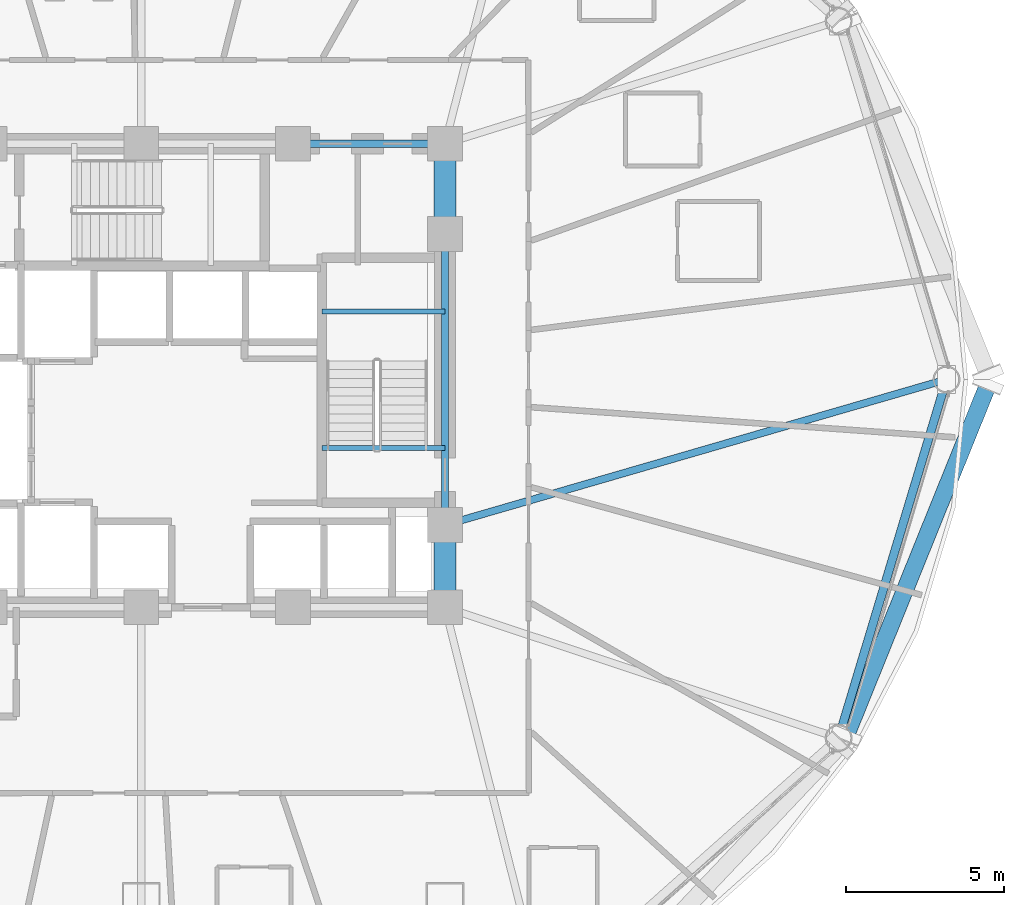
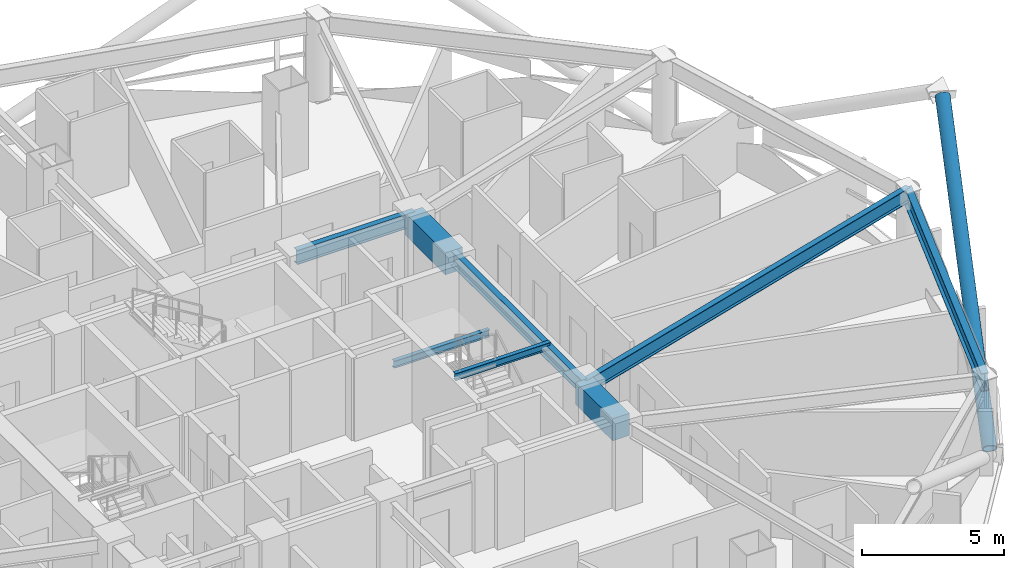
# One storey, part 11 of 31: 8 beams, 1 member.
"""IFC4 building model written with IfcOpenShell, lengths in metres."""

import ifcopenshell
import ifcopenshell.guid

model = None  # the IFC model being written
_history = None  # IfcOwnerHistory: only IFC2X3 demands one
_inside = {}  # id of a spatial element -> (the spatial element, [elements in it])
_under = {}  # id of a project, library or spatial element -> (it, [spatial elements below it])
_declared = {}  # id of a project -> (the project, [libraries it declares])
_typed = {}  # id of a type object -> (the type object, [elements of that type])
_made_of = {}  # id of a material, layer set ... -> (it, [elements and type objects made of it])


def new_model(schema):
    """Start an empty IFC model of exactly this schema.

    Asked for "IFC4X3", IfcOpenShell would pick the latest addendum, in which some entities
    have other attributes; the version numbers below select the first issue.
    IFC2X3 requires an IfcOwnerHistory on every rooted entity: one is made here for all.
    """
    global model, _history
    if schema == "IFC4X3":
        model = ifcopenshell.file(schema_version=(4, 3, 0, 0))
    else:
        model = ifcopenshell.file(schema=schema)
    _inside.clear()
    _under.clear()
    _declared.clear()
    _typed.clear()
    _made_of.clear()
    _history = None
    if model.schema == "IFC2X3":
        org = make("IfcOrganization", Name="unknown")
        user = make(
            "IfcPersonAndOrganization",
            ThePerson=make("IfcPerson", FamilyName="unknown"),
            TheOrganization=org,
        )
        app = make(
            "IfcApplication",
            ApplicationDeveloper=org,
            Version="unknown",
            ApplicationFullName="unknown",
            ApplicationIdentifier="unknown",
        )
        _history = make(
            "IfcOwnerHistory",
            OwningUser=user,
            OwningApplication=app,
            ChangeAction="ADDED",
            CreationDate=0,
        )
    return model


def make(cls, **values):
    """One entity of the class cls with the attributes given. An attribute that is None is left unset."""
    return model.create_entity(
        cls, **{name: value for name, value in values.items() if value is not None}
    )


def rooted(cls, **values):
    """An entity with a GlobalId (a new one), such as an element, a storey or a relation."""
    return make(cls, GlobalId=ifcopenshell.guid.new(), OwnerHistory=_history, **values)


def si_unit(unit_type, name, prefix=None):
    """IfcSIUnit, for example si_unit("LENGTHUNIT", "METRE", prefix="MILLI")."""
    return make("IfcSIUnit", UnitType=unit_type, Prefix=prefix, Name=name)


def assignment(units):
    """IfcUnitAssignment: the units of a project."""
    return None if units is None else make("IfcUnitAssignment", Units=units)


def point(xyz):
    """IfcCartesianPoint."""
    return None if xyz is None else make("IfcCartesianPoint", Coordinates=xyz)


def direction(xyz):
    """IfcDirection."""
    return None if xyz is None else make("IfcDirection", DirectionRatios=xyz)


def frame(location, z_axis=None, x_axis=None):
    """IfcAxis2Placement3D, a coordinate frame: its origin and axes. An axis left out is left unset."""
    return make(
        "IfcAxis2Placement3D",
        Location=point(location),
        Axis=direction(z_axis),
        RefDirection=direction(x_axis),
    )


def frame_2d(location, x_axis=None):
    """IfcAxis2Placement2D, a coordinate frame in the plane: its origin and x axis."""
    return make(
        "IfcAxis2Placement2D", Location=point(location), RefDirection=direction(x_axis)
    )


def origin():
    """The frame at (0, 0, 0) with its axes left unset."""
    return frame((0.0, 0.0, 0.0))


def origin_2d():
    """The frame at (0, 0) in the plane with its x axis left unset."""
    return frame_2d((0.0, 0.0))


def place(relative_to, where):
    """IfcLocalPlacement: puts the frame where relative to a parent placement (None: the world)."""
    return make(
        "IfcLocalPlacement", PlacementRelTo=relative_to, RelativePlacement=where
    )


def context(
    kind, dimensions, precision=None, world=None, true_north=None, identifier=None
):
    """IfcGeometricRepresentationContext, for example the 3D "Model" context."""
    return make(
        "IfcGeometricRepresentationContext",
        ContextIdentifier=identifier,
        ContextType=kind,
        CoordinateSpaceDimension=dimensions,
        Precision=precision,
        WorldCoordinateSystem=world,
        TrueNorth=true_north,
    )


def subcontext(parent, identifier, kind, view, scale=None):
    """IfcGeometricRepresentationSubContext, for example "Body" below "Model"."""
    return make(
        "IfcGeometricRepresentationSubContext",
        ContextIdentifier=identifier,
        ContextType=kind,
        ParentContext=parent,
        TargetScale=scale,
        TargetView=view,
    )


def project(units=None, contexts=None):
    """IfcProject with its units and contexts."""
    return rooted(
        "IfcProject",
        Name="project",
        RepresentationContexts=contexts,
        UnitsInContext=assignment(units),
    )


def spatial(cls, under=None, at=None, **own):
    """A site, building, storey or space (cls), placed at a placement, below another one or the project."""
    s = rooted(cls, ObjectPlacement=at, **own)
    if under is not None:
        _under.setdefault(under.id(), (under, []))[1].append(s)
    return s


def profile(cls, at=None, kind="AREA", **sizes):
    """A parametric profile (cls). Its sizes go by their IFC names, for example OverallWidth=200.0."""
    return make(cls, ProfileType=kind, Position=at, **sizes)


def rectangle(**sizes):
    """IfcRectangleProfileDef."""
    return profile("IfcRectangleProfileDef", **sizes)


def hollow_circle(**sizes):
    """IfcCircleHollowProfileDef."""
    return profile("IfcCircleHollowProfileDef", **sizes)


def i_section(**sizes):
    """IfcIShapeProfileDef."""
    return profile("IfcIShapeProfileDef", **sizes)


def extrude(swept, where, along, depth):
    """IfcExtrudedAreaSolid: the profile swept, set in the frame where, extruded along a direction by depth."""
    return make(
        "IfcExtrudedAreaSolid",
        SweptArea=swept,
        Position=where,
        ExtrudedDirection=direction(along),
        Depth=depth,
    )


def shape(context_of_items, identifier, shape_type, items):
    """IfcShapeRepresentation: the items that make up one representation, for example the "Body"."""
    return make(
        "IfcShapeRepresentation",
        ContextOfItems=context_of_items,
        RepresentationIdentifier=identifier,
        RepresentationType=shape_type,
        Items=items,
    )


def material(Name=None, Category=None):
    """IfcMaterial."""
    return make("IfcMaterial", Name=Name, Category=Category)


def material_profile(
    of_material, cross_section, Name=None, Category=None, Priority=None
):
    """IfcMaterialProfile: a cross section and its material."""
    return make(
        "IfcMaterialProfile",
        Name=Name,
        Material=of_material,
        Profile=cross_section,
        Priority=Priority,
        Category=Category,
    )


def profile_set(profiles, Name=None, composite=None):
    """IfcMaterialProfileSet."""
    return make(
        "IfcMaterialProfileSet",
        Name=Name,
        MaterialProfiles=profiles,
        CompositeProfile=composite,
    )


def made_of(thing, what):
    """Note that an element or type object is made of a material, layer set ...; save() writes the relation."""
    if what is not None:
        _made_of.setdefault(what.id(), (what, []))[1].append(thing)
    return thing


def type_object(cls, material=None, **own):
    """A type object (cls), such as IfcWallType, which elements share."""
    return made_of(rooted(cls, **own), material)


def element(
    cls,
    number,
    at=None,
    inside=None,
    cuts=None,
    type_object=None,
    material=None,
    context=None,
    identifier="Body",
    shape_type=None,
    held_by="IfcProductDefinitionShape",
    body=None,
    shapes=None,
    **own,
):
    """One element of the class cls, such as IfcWall. Its Tag is "e" and its number.

    at: its placement. inside: the storey or other place that contains it. cuts: it is an
    opening in that element (IfcRelVoidsElement). A single representation is given by context,
    identifier, shape_type and body (its items); several are given by shapes. held_by: the class
    of the entity that holds the representations. save() writes the other relations.
    """
    e = rooted(cls, Tag="e%d" % number, ObjectPlacement=at, **own)
    if body is not None:
        shapes = [shape(context, identifier, shape_type, body)]
    if shapes is not None:
        e.Representation = make(held_by, Representations=shapes)
    if inside is not None:
        _inside.setdefault(inside.id(), (inside, []))[1].append(e)
    if cuts is not None:
        rooted(
            "IfcRelVoidsElement", RelatingBuildingElement=cuts, RelatedOpeningElement=e
        )
    if type_object is not None:
        _typed.setdefault(type_object.id(), (type_object, []))[1].append(e)
    return made_of(e, material)


def aggregate(whole, parts):
    """IfcRelAggregates: a whole, such as a stair, and the parts it consists of."""
    return rooted("IfcRelAggregates", RelatingObject=whole, RelatedObjects=parts)


def save(model, path):
    """Write the relations noted so far, then the file.

    IfcRelAggregates (storeys below a building ...), IfcRelContainedInSpatialStructure (elements
    in a storey), IfcRelDefinesByType, IfcRelAssociatesMaterial and IfcRelDeclares: one each for
    every whole, place, type object, material and project.
    """
    for whole, parts in _under.values():
        aggregate(whole, parts)
    for where, things in _inside.values():
        rooted(
            "IfcRelContainedInSpatialStructure",
            RelatedElements=things,
            RelatingStructure=where,
        )
    for kind, things in _typed.values():
        rooted("IfcRelDefinesByType", RelatedObjects=things, RelatingType=kind)
    for what, things in _made_of.values():
        rooted("IfcRelAssociatesMaterial", RelatedObjects=things, RelatingMaterial=what)
    for by, libraries in _declared.values():
        rooted("IfcRelDeclares", RelatingContext=by, RelatedDefinitions=libraries)
    model.write(path)


model = new_model("IFC4")

# Units and contexts
model_context = context("Model", 3, precision=1e-05, world=origin(), true_north=direction((0.0, 1.0)))
body_context = subcontext(model_context, "Body", "Model", "MODEL_VIEW")
ifc_project = project(units=[si_unit("LENGTHUNIT", "METRE"), si_unit("AREAUNIT", "SQUARE_METRE"), si_unit("VOLUMEUNIT", "CUBIC_METRE"), si_unit("PLANEANGLEUNIT", "RADIAN"), si_unit("MASSUNIT", "GRAM", prefix="KILO")], contexts=[model_context])

# Site, building, storey
site_placement = place(None, origin())
site = spatial("IfcSite", under=ifc_project, at=site_placement, CompositionType="ELEMENT")
building_placement = place(site_placement, origin())
building = spatial("IfcBuilding", under=site, at=building_placement, Name="Vantalir Tower", CompositionType="ELEMENT")
storey_placement = place(building_placement, frame((0.0, 0.0, 34.5)))
storey = spatial("IfcBuildingStorey", under=building, at=storey_placement, Name="L07", CompositionType="ELEMENT", Elevation=34.5)

# Beams
ifc_material_1 = material(Name="Concrete C60/75", Category="concrete")
ifc_material_profile_1 = material_profile(ifc_material_1, rectangle(XDim=0.699951171875, YDim=0.949951171875, at=origin_2d()), Name="Concrete C60/75")
ifc_profile_set_1 = profile_set([ifc_material_profile_1], Name="Concrete C60/75")
beam_type_1 = type_object("IfcBeamType", Name="BM-CB-700x950", PredefinedType="USERDEFINED", material=ifc_profile_set_1)
beam_1_placement = place(storey_placement, frame((41.10009765625, 17.800048828125, 3.094970703125), z_axis=(0.0, 1.0, 0.0), x_axis=(-1.0, 0.0, 0.0)))
element("IfcBeam", 1, at=beam_1_placement, inside=storey, type_object=beam_type_1, Name="L07 Core Coupling Girder 05", ObjectType="GIRDER", PredefinedType="USERDEFINED", context=body_context, shape_type="SweptSolid", body=[
    extrude(rectangle(XDim=0.699951171875, YDim=0.949951171875, at=origin_2d()), origin(), (0.0, 0.0, 1.0), 2.599853515625),
])
beam_2_placement = place(storey_placement, frame((41.10009765625, 29.60009765625, 3.094970703125), z_axis=(0.0, 1.0, 0.0), x_axis=(-1.0, 0.0, 0.0)))
element("IfcBeam", 2, at=beam_2_placement, inside=storey, type_object=beam_type_1, Name="L07 Core Coupling Girder 07", ObjectType="GIRDER", PredefinedType="USERDEFINED", context=body_context, shape_type="SweptSolid", body=[
    extrude(rectangle(XDim=0.699951171875, YDim=0.949951171875, at=origin_2d()), origin(), (0.0, 0.0, 1.0), 2.849853515625),
])
ifc_material_2 = material(Name="Steel S355", Category="steel")
ifc_material_profile_2 = material_profile(ifc_material_2, i_section(OverallWidth=0.166015625, OverallDepth=0.306884765625, WebThickness=0.006591796875, FlangeThickness=0.01171875, at=origin_2d()), Name="Steel S355")
ifc_profile_set_2 = profile_set([ifc_material_profile_2], Name="Steel S355")
beam_type_2 = type_object("IfcBeamType", Name="BM-JS-305x165", PredefinedType="JOIST", material=ifc_profile_set_2)
for number, where, z_axis, x_axis, name in (
    (3, (37.2099609375, 22.8349609375, 3.595947265625), (1.0, 0.0, 0.0), (0.0, 1.0, 0.0), "L08 Stair ST2 Well Nosing Trimmer Beam"),
    (4, (37.2099609375, 27.14501953125, 1.52099609375), (1.0, 0.0, 0.0), (0.0, 1.0, 0.0), "L07 Stair ST2 Half-Landing Support Beam"),
):
    element("IfcBeam", number, at=place(storey_placement, frame(where, z_axis=z_axis, x_axis=x_axis)), inside=storey, type_object=beam_type_2, Name=name, PredefinedType="JOIST", context=body_context, shape_type="SweptSolid", body=[
        extrude(i_section(OverallWidth=0.166015625, OverallDepth=0.306884765625, WebThickness=0.006591796875, FlangeThickness=0.01171875, at=origin_2d()), origin(), (0.0, 0.0, 1.0), 3.89013671875),
    ])
ifc_material_profile_3 = material_profile(ifc_material_2, i_section(OverallWidth=0.22998046875, OverallDepth=0.616943359375, WebThickness=0.01318359375, FlangeThickness=0.022216796875, at=origin_2d()), Name="Steel S355")
ifc_profile_set_3 = profile_set([ifc_material_profile_3], Name="Steel S355")
beam_type_3 = type_object("IfcBeamType", Name="BM-RB-610x229", PredefinedType="BEAM", material=ifc_profile_set_3)
beam_3_placement = place(storey_placement, frame((41.10009765625, 20.39990234375, 3.261962890625), z_axis=(0.0, 1.0, 0.0), x_axis=(-1.0, 0.0, 0.0)))
element("IfcBeam", 5, at=beam_3_placement, inside=storey, type_object=beam_type_3, Name="L07 Core Coupling Girder 06", PredefinedType="BEAM", context=body_context, shape_type="SweptSolid", body=[
    extrude(i_section(OverallWidth=0.22998046875, OverallDepth=0.616943359375, WebThickness=0.01318359375, FlangeThickness=0.022216796875, at=origin_2d()), origin(), (0.0, 0.0, 1.0), 9.2001953125),
])
beam_4_placement = place(storey_placement, frame((41.10009765625, 32.449951171875, 3.261962890625), z_axis=(-1.0, 0.0, 0.0), x_axis=(0.0, -1.0, 0.0)))
element("IfcBeam", 6, at=beam_4_placement, inside=storey, type_object=beam_type_3, Name="L07 Core Coupling Girder 08", PredefinedType="BEAM", context=body_context, shape_type="SweptSolid", body=[
    extrude(i_section(OverallWidth=0.22998046875, OverallDepth=0.616943359375, WebThickness=0.01318359375, FlangeThickness=0.022216796875, at=origin_2d()), origin(), (0.0, 0.0, 1.0), 4.800048828125),
])
beam_5_placement = place(storey_placement, frame((56.949951171875, 25.0, 3.261962890625), z_axis=(-0.960370116181, -0.27872789589, 0.0), x_axis=(0.27872789589, -0.960370116181, 0.0)))
element("IfcBeam", 7, at=beam_5_placement, inside=storey, type_object=beam_type_3, Name="L07 Radial Floor Beam 01", PredefinedType="BEAM", context=body_context, shape_type="SweptSolid", body=[
    extrude(i_section(OverallWidth=0.22998046875, OverallDepth=0.616943359375, WebThickness=0.01318359375, FlangeThickness=0.022216796875, at=origin_2d()), origin(), (0.0, 0.0, 1.0), 16.50390625),
])
ifc_material_3 = material(Name="Steel S460", Category="steel")
ifc_material_profile_4 = material_profile(ifc_material_3, i_section(OverallWidth=0.26806640625, OverallDepth=0.77001953125, WebThickness=0.015625, FlangeThickness=0.025390625, at=origin_2d()), Name="Steel S460")
ifc_profile_set_4 = profile_set([ifc_material_profile_4], Name="Steel S460")
beam_type_4 = type_object("IfcBeamType", Name="BM-RG-762x267", PredefinedType="USERDEFINED", material=ifc_profile_set_4)
beam_6_placement = place(storey_placement, frame((53.5400390625, 13.66796875, 3.18505859375), z_axis=(0.288146508643, 0.957586335302, 0.0), x_axis=(-0.957586335302, 0.288146508643, 0.0)))
element("IfcBeam", 8, at=beam_6_placement, inside=storey, type_object=beam_type_4, Name="L07 Circumferential Ring Girder 12", ObjectType="GIRDER", PredefinedType="USERDEFINED", context=body_context, shape_type="SweptSolid", body=[
    extrude(i_section(OverallWidth=0.26806640625, OverallDepth=0.77001953125, WebThickness=0.015625, FlangeThickness=0.025390625, at=origin_2d()), origin(), (0.0, 0.0, 1.0), 11.833984375),
])

# Member
ifc_material_profile_5 = material_profile(ifc_material_3, hollow_circle(Radius=0.27001953125, WallThickness=0.044921875, at=origin_2d()), Name="Steel S460")
ifc_profile_set_5 = profile_set([ifc_material_profile_5], Name="Steel S460")
member_type = type_object("IfcMemberType", Name="MEM-DB-540x45", PredefinedType="BRACE", material=ifc_profile_set_5)
member_placement = place(storey_placement, frame((53.77587890625, 13.7490234375, 0.18994140625), z_axis=(0.324397774372, 0.801549988497, 0.502278508322), x_axis=(-0.926962548734, 0.375153879422, 0.0)))
element("IfcMember", 9, at=member_placement, inside=storey, type_object=member_type, Name="L07 Perimeter S460 Diagrid Brace R34L", PredefinedType="BRACE", context=body_context, shape_type="SweptSolid", body=[
    extrude(hollow_circle(Radius=0.27001953125, WallThickness=0.044921875, at=origin_2d()), origin(), (0.0, 0.0, 1.0), 13.81689453125),
])

save(model, "model.ifc")
